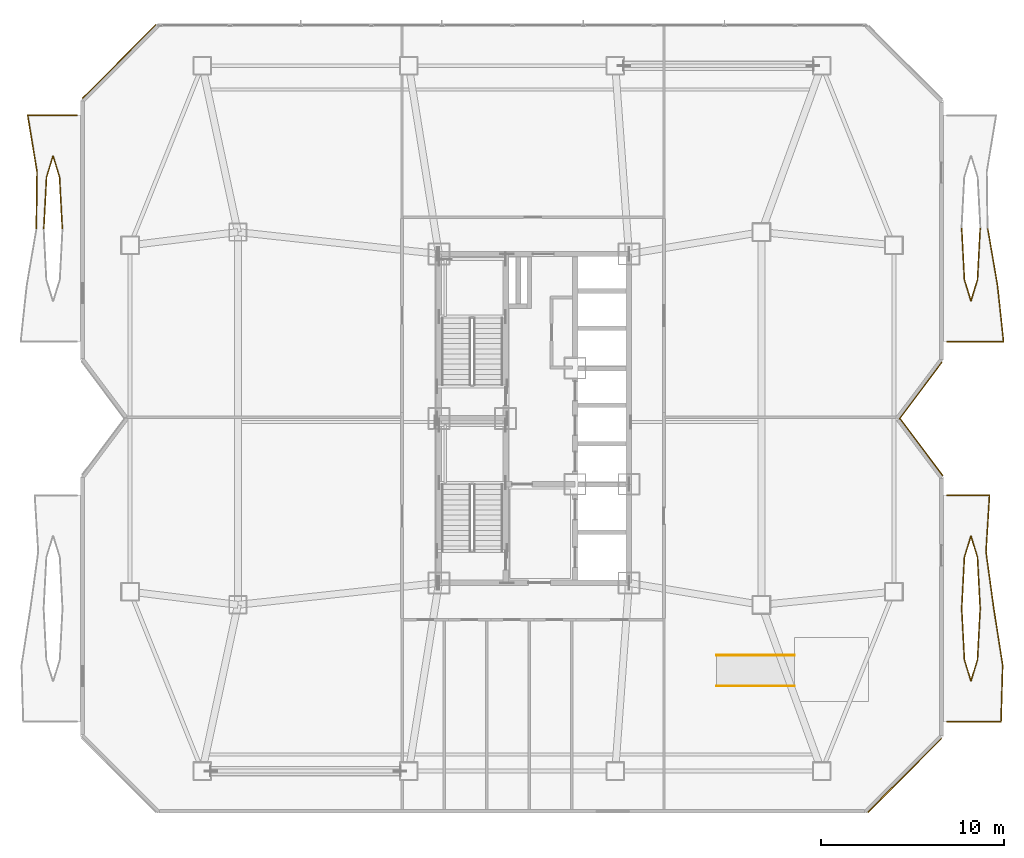
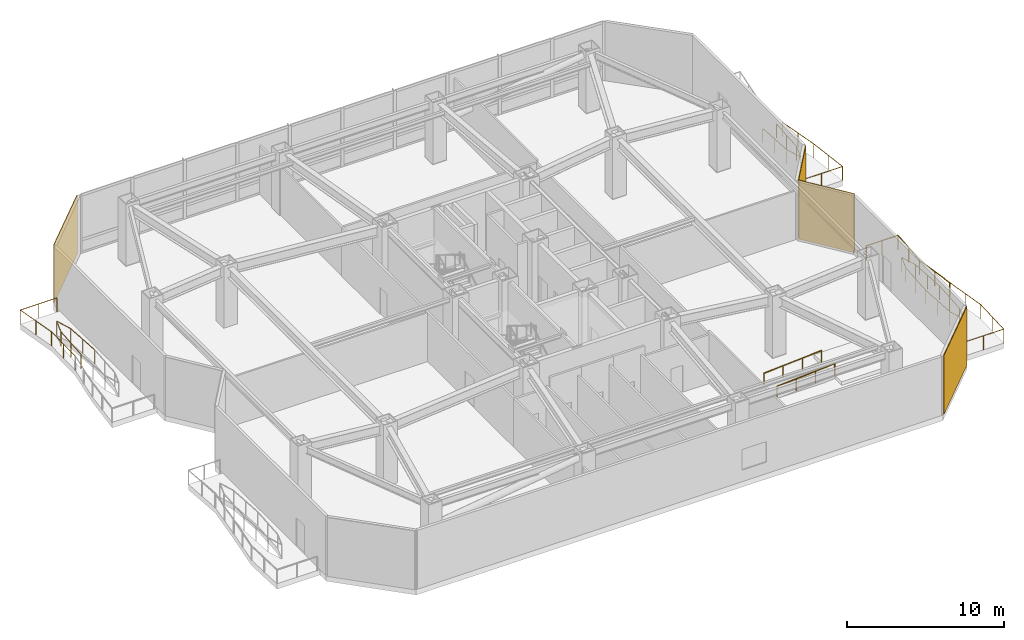
# One storey, part 13 of 14: 10 railings, 4 coverings.
"""IFC4 building model written with IfcOpenShell, lengths in metres."""

import ifcopenshell
import ifcopenshell.guid

model = None  # the IFC model being written
_history = None  # IfcOwnerHistory: only IFC2X3 demands one
_inside = {}  # id of a spatial element -> (the spatial element, [elements in it])
_under = {}  # id of a project, library or spatial element -> (it, [spatial elements below it])
_declared = {}  # id of a project -> (the project, [libraries it declares])
_typed = {}  # id of a type object -> (the type object, [elements of that type])
_made_of = {}  # id of a material, layer set ... -> (it, [elements and type objects made of it])


def new_model(schema):
    """Start an empty IFC model of exactly this schema.

    Asked for "IFC4X3", IfcOpenShell would pick the latest addendum, in which some entities
    have other attributes; the version numbers below select the first issue.
    IFC2X3 requires an IfcOwnerHistory on every rooted entity: one is made here for all.
    """
    global model, _history
    if schema == "IFC4X3":
        model = ifcopenshell.file(schema_version=(4, 3, 0, 0))
    else:
        model = ifcopenshell.file(schema=schema)
    _inside.clear()
    _under.clear()
    _declared.clear()
    _typed.clear()
    _made_of.clear()
    _history = None
    if model.schema == "IFC2X3":
        org = make("IfcOrganization", Name="unknown")
        user = make(
            "IfcPersonAndOrganization",
            ThePerson=make("IfcPerson", FamilyName="unknown"),
            TheOrganization=org,
        )
        app = make(
            "IfcApplication",
            ApplicationDeveloper=org,
            Version="unknown",
            ApplicationFullName="unknown",
            ApplicationIdentifier="unknown",
        )
        _history = make(
            "IfcOwnerHistory",
            OwningUser=user,
            OwningApplication=app,
            ChangeAction="ADDED",
            CreationDate=0,
        )
    return model


def make(cls, **values):
    """One entity of the class cls with the attributes given. An attribute that is None is left unset."""
    return model.create_entity(
        cls, **{name: value for name, value in values.items() if value is not None}
    )


def rooted(cls, **values):
    """An entity with a GlobalId (a new one), such as an element, a storey or a relation."""
    return make(cls, GlobalId=ifcopenshell.guid.new(), OwnerHistory=_history, **values)


def si_unit(unit_type, name, prefix=None):
    """IfcSIUnit, for example si_unit("LENGTHUNIT", "METRE", prefix="MILLI")."""
    return make("IfcSIUnit", UnitType=unit_type, Prefix=prefix, Name=name)


def assignment(units):
    """IfcUnitAssignment: the units of a project."""
    return None if units is None else make("IfcUnitAssignment", Units=units)


def point(xyz):
    """IfcCartesianPoint."""
    return None if xyz is None else make("IfcCartesianPoint", Coordinates=xyz)


def direction(xyz):
    """IfcDirection."""
    return None if xyz is None else make("IfcDirection", DirectionRatios=xyz)


def frame(location, z_axis=None, x_axis=None):
    """IfcAxis2Placement3D, a coordinate frame: its origin and axes. An axis left out is left unset."""
    return make(
        "IfcAxis2Placement3D",
        Location=point(location),
        Axis=direction(z_axis),
        RefDirection=direction(x_axis),
    )


def frame_2d(location, x_axis=None):
    """IfcAxis2Placement2D, a coordinate frame in the plane: its origin and x axis."""
    return make(
        "IfcAxis2Placement2D", Location=point(location), RefDirection=direction(x_axis)
    )


def origin():
    """The frame at (0, 0, 0) with its axes left unset."""
    return frame((0.0, 0.0, 0.0))


def origin_2d():
    """The frame at (0, 0) in the plane with its x axis left unset."""
    return frame_2d((0.0, 0.0))


def place(relative_to, where):
    """IfcLocalPlacement: puts the frame where relative to a parent placement (None: the world)."""
    return make(
        "IfcLocalPlacement", PlacementRelTo=relative_to, RelativePlacement=where
    )


def context(
    kind, dimensions, precision=None, world=None, true_north=None, identifier=None
):
    """IfcGeometricRepresentationContext, for example the 3D "Model" context."""
    return make(
        "IfcGeometricRepresentationContext",
        ContextIdentifier=identifier,
        ContextType=kind,
        CoordinateSpaceDimension=dimensions,
        Precision=precision,
        WorldCoordinateSystem=world,
        TrueNorth=true_north,
    )


def subcontext(parent, identifier, kind, view, scale=None):
    """IfcGeometricRepresentationSubContext, for example "Body" below "Model"."""
    return make(
        "IfcGeometricRepresentationSubContext",
        ContextIdentifier=identifier,
        ContextType=kind,
        ParentContext=parent,
        TargetScale=scale,
        TargetView=view,
    )


def project(units=None, contexts=None):
    """IfcProject with its units and contexts."""
    return rooted(
        "IfcProject",
        Name="project",
        RepresentationContexts=contexts,
        UnitsInContext=assignment(units),
    )


def spatial(cls, under=None, at=None, **own):
    """A site, building, storey or space (cls), placed at a placement, below another one or the project."""
    s = rooted(cls, ObjectPlacement=at, **own)
    if under is not None:
        _under.setdefault(under.id(), (under, []))[1].append(s)
    return s


def profile(cls, at=None, kind="AREA", **sizes):
    """A parametric profile (cls). Its sizes go by their IFC names, for example OverallWidth=200.0."""
    return make(cls, ProfileType=kind, Position=at, **sizes)


def rectangle(**sizes):
    """IfcRectangleProfileDef."""
    return profile("IfcRectangleProfileDef", **sizes)


def circle(**sizes):
    """IfcCircleProfileDef."""
    return profile("IfcCircleProfileDef", **sizes)


def extrude(swept, where, along, depth):
    """IfcExtrudedAreaSolid: the profile swept, set in the frame where, extruded along a direction by depth."""
    return make(
        "IfcExtrudedAreaSolid",
        SweptArea=swept,
        Position=where,
        ExtrudedDirection=direction(along),
        Depth=depth,
    )


def shape(context_of_items, identifier, shape_type, items):
    """IfcShapeRepresentation: the items that make up one representation, for example the "Body"."""
    return make(
        "IfcShapeRepresentation",
        ContextOfItems=context_of_items,
        RepresentationIdentifier=identifier,
        RepresentationType=shape_type,
        Items=items,
    )


def material(Name=None, Category=None):
    """IfcMaterial."""
    return make("IfcMaterial", Name=Name, Category=Category)


def layer(
    of_material, thickness, ventilated=None, Name=None, Category=None, Priority=None
):
    """IfcMaterialLayer: one layer of a wall or slab, of a material (None: an air gap)."""
    return make(
        "IfcMaterialLayer",
        Material=of_material,
        LayerThickness=thickness,
        IsVentilated=ventilated,
        Name=Name,
        Category=Category,
        Priority=Priority,
    )


def layer_set(layers, Name=None):
    """IfcMaterialLayerSet."""
    return make("IfcMaterialLayerSet", MaterialLayers=layers, LayerSetName=Name)


def made_of(thing, what):
    """Note that an element or type object is made of a material, layer set ...; save() writes the relation."""
    if what is not None:
        _made_of.setdefault(what.id(), (what, []))[1].append(thing)
    return thing


def type_object(cls, material=None, **own):
    """A type object (cls), such as IfcWallType, which elements share."""
    return made_of(rooted(cls, **own), material)


def element(
    cls,
    number,
    at=None,
    inside=None,
    cuts=None,
    type_object=None,
    material=None,
    context=None,
    identifier="Body",
    shape_type=None,
    held_by="IfcProductDefinitionShape",
    body=None,
    shapes=None,
    **own,
):
    """One element of the class cls, such as IfcWall. Its Tag is "e" and its number.

    at: its placement. inside: the storey or other place that contains it. cuts: it is an
    opening in that element (IfcRelVoidsElement). A single representation is given by context,
    identifier, shape_type and body (its items); several are given by shapes. held_by: the class
    of the entity that holds the representations. save() writes the other relations.
    """
    e = rooted(cls, Tag="e%d" % number, ObjectPlacement=at, **own)
    if body is not None:
        shapes = [shape(context, identifier, shape_type, body)]
    if shapes is not None:
        e.Representation = make(held_by, Representations=shapes)
    if inside is not None:
        _inside.setdefault(inside.id(), (inside, []))[1].append(e)
    if cuts is not None:
        rooted(
            "IfcRelVoidsElement", RelatingBuildingElement=cuts, RelatedOpeningElement=e
        )
    if type_object is not None:
        _typed.setdefault(type_object.id(), (type_object, []))[1].append(e)
    return made_of(e, material)


def aggregate(whole, parts):
    """IfcRelAggregates: a whole, such as a stair, and the parts it consists of."""
    return rooted("IfcRelAggregates", RelatingObject=whole, RelatedObjects=parts)


def save(model, path):
    """Write the relations noted so far, then the file.

    IfcRelAggregates (storeys below a building ...), IfcRelContainedInSpatialStructure (elements
    in a storey), IfcRelDefinesByType, IfcRelAssociatesMaterial and IfcRelDeclares: one each for
    every whole, place, type object, material and project.
    """
    for whole, parts in _under.values():
        aggregate(whole, parts)
    for where, things in _inside.values():
        rooted(
            "IfcRelContainedInSpatialStructure",
            RelatedElements=things,
            RelatingStructure=where,
        )
    for kind, things in _typed.values():
        rooted("IfcRelDefinesByType", RelatedObjects=things, RelatingType=kind)
    for what, things in _made_of.values():
        rooted("IfcRelAssociatesMaterial", RelatedObjects=things, RelatingMaterial=what)
    for by, libraries in _declared.values():
        rooted("IfcRelDeclares", RelatingContext=by, RelatedDefinitions=libraries)
    model.write(path)


model = new_model("IFC4")

# Units and contexts
model_context = context("Model", 3, precision=1e-05, world=origin(), true_north=direction((0.0, 1.0)))
body_context = subcontext(model_context, "Body", "Model", "MODEL_VIEW")
ifc_project = project(units=[si_unit("LENGTHUNIT", "METRE"), si_unit("AREAUNIT", "SQUARE_METRE"), si_unit("VOLUMEUNIT", "CUBIC_METRE"), si_unit("PLANEANGLEUNIT", "RADIAN"), si_unit("MASSUNIT", "GRAM", prefix="KILO")], contexts=[model_context])

# Site, building, storey
site_placement = place(None, origin())
site = spatial("IfcSite", under=ifc_project, at=site_placement, CompositionType="ELEMENT")
building_placement = place(site_placement, origin())
building = spatial("IfcBuilding", under=site, at=building_placement, Name="Khamvora Tower", CompositionType="ELEMENT")
storey_placement = place(building_placement, frame((0.0, 0.0, 89.800048828125)))
storey = spatial("IfcBuildingStorey", under=building, at=storey_placement, Name="L22", CompositionType="ELEMENT", Elevation=89.800048828125)

# Coverings
ifc_material_1 = material(Name="Pale Anodised Aluminium Rainscreen Panel", Category="aluminium")
ifc_layer_1 = layer(ifc_material_1, 0.044921875)
ifc_layer_set_1 = layer_set([ifc_layer_1], Name="Pale Anodised Aluminium Rainscreen Panel")
covering_type_1 = type_object("IfcCoveringType", Name="COV-CLD-ALU", PredefinedType="CLADDING", material=ifc_layer_set_1)
covering_1_placement = place(storey_placement, frame((11.509033203125, 47.534912109375, 0.0), z_axis=(0.0, 0.0, 1.0), x_axis=(0.707106781187, 0.707106781187, 0.0)))
element("IfcCovering", 1, at=covering_1_placement, inside=storey, type_object=covering_type_1, Name="L22 chamfer rainscreen cladding 06.1", PredefinedType="CLADDING", context=body_context, shape_type="SweptSolid", body=[
    extrude(rectangle(XDim=5.694091796875, YDim=0.044921875, at=origin_2d()), origin(), (0.0, 0.0, 1.0), 4.580078125),
])
covering_2_placement = place(storey_placement, frame((55.365966796875, 29.52490234375, 0.0), z_axis=(0.0, 0.0, 1.0), x_axis=(-0.600120318085, -0.799909747298, 0.0)))
element("IfcCovering", 2, at=covering_2_placement, inside=storey, type_object=covering_type_1, Name="L22 chamfer rainscreen cladding 10.1", PredefinedType="CLADDING", context=body_context, shape_type="SweptSolid", body=[
    extrude(rectangle(XDim=3.888916015625, YDim=0.044921875, at=origin_2d()), origin(), (0.0, 0.0, 1.0), 4.580078125),
])
ifc_material_2 = material(Name="Anodised Bronze Aluminium Spandrel Panel", Category="aluminium")
ifc_layer_2 = layer(ifc_material_2, 0.054931640625)
ifc_layer_set_2 = layer_set([ifc_layer_2], Name="Anodised Bronze Aluminium Spandrel Panel")
covering_type_2 = type_object("IfcCoveringType", Name="COV-CLD-BRZ", PredefinedType="CLADDING", material=ifc_layer_set_2)
covering_3_placement = place(storey_placement, frame((55.407958984375, 26.419921875, 0.0), z_axis=(0.0, 0.0, 1.0), x_axis=(0.600000000002, -0.799999999998, 0.0)))
element("IfcCovering", 3, at=covering_3_placement, inside=storey, type_object=covering_type_2, Name="L22 chamfer rainscreen cladding 11.1", PredefinedType="CLADDING", context=body_context, shape_type="SweptSolid", body=[
    extrude(rectangle(XDim=3.85498046875, YDim=0.054931640625, at=origin_2d()), origin(), (0.0, 0.0, 1.0), 4.580078125),
])
covering_4_placement = place(storey_placement, frame((54.490966796875, 8.466064453125, 0.0), z_axis=(0.0, 0.0, 1.0), x_axis=(-0.707106781187, -0.707106781187, 0.0)))
element("IfcCovering", 4, at=covering_4_placement, inside=storey, type_object=covering_type_2, Name="L22 chamfer rainscreen cladding 13.1", PredefinedType="CLADDING", context=body_context, shape_type="SweptSolid", body=[
    extrude(rectangle(XDim=5.695068359375, YDim=0.054931640625, at=origin_2d()), origin(), (0.0, 0.0, 1.0), 4.580078125),
])

# Railings
ifc_material_3 = material(Name="Stainless Steel 316 and Laminated Glass", Category="steel")
railing_type_1 = type_object("IfcRailingType", Name="RAL-GAL-1120", PredefinedType="GUARDRAIL", material=ifc_material_3)
railing_1_placement = place(storey_placement, frame((56.800048828125, 11.39990234375, 0.0)))
element("IfcRailing", 5, at=railing_1_placement, inside=storey, type_object=railing_type_1, Name="L22 lens gallery south perimeter guardrail EL1", PredefinedType="GUARDRAIL", context=body_context, shape_type="SweptSolid", body=[
    extrude(circle(Radius=0.02392578125, at=origin_2d()), frame((0.0, 0.0, 1.09619140625), z_axis=(1.0, 0.0, 0.0), x_axis=(0.0, 1.0, 0.0)), (0.0, 0.0, 1.0), 2.9619140625),
    extrude(circle(Radius=0.02392578125, at=origin_2d()), frame((2.9619140625, 0.0, 1.09619140625), z_axis=(0.029047432246, 0.999578034312, 0.0), x_axis=(-0.999578034312, 0.029047432246, 0.0)), (0.0, 0.0, 1.0), 3.101318359375),
    extrude(circle(Radius=0.02392578125, at=origin_2d()), frame((3.052001953125, 3.10009765625, 1.09619140625), z_axis=(-0.154599983709, 0.987977148034, 0.0), x_axis=(-0.987977148034, -0.154599983709, 0.0)), (0.0, 0.0, 1.0), 3.137939453125),
    extrude(circle(Radius=0.02099609375, at=origin_2d()), origin(), (0.0, 0.0, 1.0), 1.072021484375),
    extrude(circle(Radius=0.02099609375, at=origin_2d()), frame((1.48095703125, 0.0, 0.0)), (0.0, 0.0, 1.0), 1.072021484375),
    extrude(circle(Radius=0.02099609375, at=origin_2d()), frame((2.9619140625, 0.0, 0.0)), (0.0, 0.0, 1.0), 1.072021484375),
    extrude(circle(Radius=0.02099609375, at=origin_2d()), frame((3.0068359375, 1.550048828125, 0.0)), (0.0, 0.0, 1.0), 1.072021484375),
    extrude(circle(Radius=0.02099609375, at=origin_2d()), frame((3.052001953125, 3.10009765625, 0.0)), (0.0, 0.0, 1.0), 1.072021484375),
    extrude(circle(Radius=0.02099609375, at=origin_2d()), frame((2.8095703125, 4.650146484375, 0.0)), (0.0, 0.0, 1.0), 1.072021484375),
    extrude(circle(Radius=0.02099609375, at=origin_2d()), frame((2.56689453125, 6.2001953125, 0.0)), (0.0, 0.0, 1.0), 1.072021484375),
])
railing_2_placement = place(storey_placement, frame((59.366943359375, 17.60009765625, 0.0)))
element("IfcRailing", 6, at=railing_2_placement, inside=storey, type_object=railing_type_1, Name="L22 lens gallery north perimeter guardrail EL1", PredefinedType="GUARDRAIL", context=body_context, shape_type="SweptSolid", body=[
    extrude(circle(Radius=0.02392578125, at=origin_2d()), frame((0.0, 0.0, 1.09619140625), z_axis=(-0.136154206504, 0.990687656152, 0.0), x_axis=(-0.990687656152, -0.136154206504, 0.0)), (0.0, 0.0, 1.0), 3.12890625),
    extrude(circle(Radius=0.02392578125, at=origin_2d()), frame((-0.426025390625, 3.099853515625, 1.09619140625), z_axis=(0.061546354471, 0.998104226146, 0.0), x_axis=(-0.998104226146, 0.061546354471, 0.0)), (0.0, 0.0, 1.0), 3.10595703125),
    extrude(circle(Radius=0.02392578125, at=origin_2d()), frame((-0.23486328125, 6.199951171875, 1.09619140625), z_axis=(-1.0, 0.0, 0.0), x_axis=(0.0, -1.0, 0.0)), (0.0, 0.0, 1.0), 2.33203125),
    extrude(circle(Radius=0.02099609375, at=origin_2d()), origin(), (0.0, 0.0, 1.0), 1.072021484375),
    extrude(circle(Radius=0.02099609375, at=origin_2d()), frame((-0.212890625, 1.5498046875, 0.0)), (0.0, 0.0, 1.0), 1.072021484375),
    extrude(circle(Radius=0.02099609375, at=origin_2d()), frame((-0.426025390625, 3.099853515625, 0.0)), (0.0, 0.0, 1.0), 1.072021484375),
    extrude(circle(Radius=0.02099609375, at=origin_2d()), frame((-0.33056640625, 4.64990234375, 0.0)), (0.0, 0.0, 1.0), 1.072021484375),
    extrude(circle(Radius=0.02099609375, at=origin_2d()), frame((-0.23486328125, 6.199951171875, 0.0)), (0.0, 0.0, 1.0), 1.072021484375),
    extrude(circle(Radius=0.02099609375, at=origin_2d()), frame((-1.40087890625, 6.199951171875, 0.0)), (0.0, 0.0, 1.0), 1.072021484375),
    extrude(circle(Radius=0.02099609375, at=origin_2d()), frame((-2.56689453125, 6.199951171875, 0.0)), (0.0, 0.0, 1.0), 1.072021484375),
])
railing_3_placement = place(storey_placement, frame((58.618896484375, 17.60009765625, 0.0)))
element("IfcRailing", 7, at=railing_3_placement, inside=storey, type_object=railing_type_1, Name="L22 lens gallery void guardrail EL1A", PredefinedType="GUARDRAIL", context=body_context, shape_type="SweptSolid", body=[
    extrude(circle(Radius=0.02392578125, at=origin_2d()), frame((0.0, 0.0, 1.09619140625), z_axis=(-0.052654602562, 0.998612784231, 0.0), x_axis=(-0.998612784231, -0.052654602562, 0.0)), (0.0, 0.0, 1.0), 2.809814453125),
    extrude(circle(Radius=0.02392578125, at=origin_2d()), frame((-0.14794921875, 2.805908203125, 1.09619140625), z_axis=(-0.292871691974, 0.956151751575, 0.0), x_axis=(-0.956151751575, -0.292871691974, 0.0)), (0.0, 0.0, 1.0), 1.21533203125),
    extrude(circle(Radius=0.02392578125, at=origin_2d()), frame((-0.50390625, 3.968017578125, 1.09619140625), z_axis=(-0.292871691974, -0.956151751575, 0.0), x_axis=(0.956151751575, -0.292871691974, 0.0)), (0.0, 0.0, 1.0), 1.21533203125),
    extrude(circle(Radius=0.02392578125, at=origin_2d()), frame((-0.85986328125, 2.805908203125, 1.09619140625), z_axis=(-0.052654602562, -0.998612784231, 0.0), x_axis=(0.998612784231, -0.052654602562, 0.0)), (0.0, 0.0, 1.0), 2.809814453125),
    extrude(circle(Radius=0.02099609375, at=origin_2d()), origin(), (0.0, 0.0, 1.0), 1.072021484375),
    extrude(circle(Radius=0.02099609375, at=origin_2d()), frame((-0.073974609375, 1.40283203125, 0.0)), (0.0, 0.0, 1.0), 1.072021484375),
    extrude(circle(Radius=0.02099609375, at=origin_2d()), frame((-0.14794921875, 2.805908203125, 0.0)), (0.0, 0.0, 1.0), 1.072021484375),
    extrude(circle(Radius=0.02099609375, at=origin_2d()), frame((-0.50390625, 3.968017578125, 0.0)), (0.0, 0.0, 1.0), 1.072021484375),
    extrude(circle(Radius=0.02099609375, at=origin_2d()), frame((-0.85986328125, 2.805908203125, 0.0)), (0.0, 0.0, 1.0), 1.072021484375),
    extrude(circle(Radius=0.02099609375, at=origin_2d()), frame((-0.933837890625, 1.40283203125, 0.0)), (0.0, 0.0, 1.0), 1.072021484375),
    extrude(circle(Radius=0.02099609375, at=origin_2d()), frame((-1.0078125, 0.0, 0.0)), (0.0, 0.0, 1.0), 1.072021484375),
])
railing_4_placement = place(storey_placement, frame((57.611083984375, 17.60009765625, 0.0)))
element("IfcRailing", 8, at=railing_4_placement, inside=storey, type_object=railing_type_1, Name="L22 lens gallery void guardrail EL1B", PredefinedType="GUARDRAIL", context=body_context, shape_type="SweptSolid", body=[
    extrude(circle(Radius=0.02392578125, at=origin_2d()), frame((0.0, 0.0, 1.09619140625), z_axis=(0.05265003421, -0.998613025099, 0.0), x_axis=(0.998613025099, 0.05265003421, 0.0)), (0.0, 0.0, 1.0), 2.81005859375),
    extrude(circle(Radius=0.02392578125, at=origin_2d()), frame((0.14794921875, -2.80615234375, 1.09619140625), z_axis=(0.292927952476, -0.956134517031, 0.0), x_axis=(0.956134517031, 0.292927952476, 0.0)), (0.0, 0.0, 1.0), 1.215087890625),
    extrude(circle(Radius=0.02392578125, at=origin_2d()), frame((0.50390625, -3.968017578125, 1.09619140625), z_axis=(0.292927952476, 0.956134517031, 0.0), x_axis=(-0.956134517031, 0.292927952476, 0.0)), (0.0, 0.0, 1.0), 1.215087890625),
    extrude(circle(Radius=0.02392578125, at=origin_2d()), frame((0.85986328125, -2.80615234375, 1.09619140625), z_axis=(0.05265003421, 0.998613025099, 0.0), x_axis=(-0.998613025099, 0.05265003421, 0.0)), (0.0, 0.0, 1.0), 2.81005859375),
    extrude(circle(Radius=0.02099609375, at=origin_2d()), origin(), (0.0, 0.0, 1.0), 1.072021484375),
    extrude(circle(Radius=0.02099609375, at=origin_2d()), frame((0.073974609375, -1.403076171875, 0.0)), (0.0, 0.0, 1.0), 1.072021484375),
    extrude(circle(Radius=0.02099609375, at=origin_2d()), frame((0.14794921875, -2.80615234375, 0.0)), (0.0, 0.0, 1.0), 1.072021484375),
    extrude(circle(Radius=0.02099609375, at=origin_2d()), frame((0.50390625, -3.968017578125, 0.0)), (0.0, 0.0, 1.0), 1.072021484375),
    extrude(circle(Radius=0.02099609375, at=origin_2d()), frame((0.85986328125, -2.80615234375, 0.0)), (0.0, 0.0, 1.0), 1.072021484375),
    extrude(circle(Radius=0.02099609375, at=origin_2d()), frame((0.933837890625, -1.403076171875, 0.0)), (0.0, 0.0, 1.0), 1.072021484375),
    extrude(circle(Radius=0.02099609375, at=origin_2d()), frame((1.0078125, 0.0, 0.0)), (0.0, 0.0, 1.0), 1.072021484375),
])
railing_5_placement = place(storey_placement, frame((56.800048828125, 32.199951171875, 0.0)))
element("IfcRailing", 9, at=railing_5_placement, inside=storey, type_object=railing_type_1, Name="L22 lens gallery south perimeter guardrail EL2", PredefinedType="GUARDRAIL", context=body_context, shape_type="SweptSolid", body=[
    extrude(circle(Radius=0.02392578125, at=origin_2d()), frame((0.0, 0.0, 1.09619140625), z_axis=(1.0, 0.0, 0.0), x_axis=(0.0, 1.0, 0.0)), (0.0, 0.0, 1.0), 3.099853515625),
    extrude(circle(Radius=0.02392578125, at=origin_2d()), frame((3.099853515625, 0.0, 1.09619140625), z_axis=(-0.10641699792, 0.994321589102, 0.0), x_axis=(-0.994321589102, -0.10641699792, 0.0)), (0.0, 0.0, 1.0), 3.117919921875),
    extrude(circle(Radius=0.02392578125, at=origin_2d()), frame((2.76806640625, 3.10009765625, 1.09619140625), z_axis=(-0.170122627131, 0.985422899946, 0.0), x_axis=(-0.985422899946, -0.170122627131, 0.0)), (0.0, 0.0, 1.0), 3.145751953125),
    extrude(circle(Radius=0.02099609375, at=origin_2d()), origin(), (0.0, 0.0, 1.0), 1.072021484375),
    extrude(circle(Radius=0.02099609375, at=origin_2d()), frame((1.5498046875, 0.0, 0.0)), (0.0, 0.0, 1.0), 1.072021484375),
    extrude(circle(Radius=0.02099609375, at=origin_2d()), frame((3.099853515625, 0.0, 0.0)), (0.0, 0.0, 1.0), 1.072021484375),
    extrude(circle(Radius=0.02099609375, at=origin_2d()), frame((2.93408203125, 1.550048828125, 0.0)), (0.0, 0.0, 1.0), 1.072021484375),
    extrude(circle(Radius=0.02099609375, at=origin_2d()), frame((2.76806640625, 3.10009765625, 0.0)), (0.0, 0.0, 1.0), 1.072021484375),
    extrude(circle(Radius=0.02099609375, at=origin_2d()), frame((2.50048828125, 4.64990234375, 0.0)), (0.0, 0.0, 1.0), 1.072021484375),
    extrude(circle(Radius=0.02099609375, at=origin_2d()), frame((2.23291015625, 6.199951171875, 0.0)), (0.0, 0.0, 1.0), 1.072021484375),
])
railing_6_placement = place(storey_placement, frame((57.611083984375, 38.39990234375, 0.0)))
element("IfcRailing", 10, at=railing_6_placement, inside=storey, type_object=railing_type_1, Name="L22 lens gallery void guardrail EL2B", PredefinedType="GUARDRAIL", context=body_context, shape_type="SweptSolid", body=[
    extrude(circle(Radius=0.02392578125, at=origin_2d()), frame((0.0, 0.0, 1.09619140625), z_axis=(0.052654602562, -0.998612784231, 0.0), x_axis=(0.998612784231, 0.052654602562, 0.0)), (0.0, 0.0, 1.0), 2.809814453125),
    extrude(circle(Radius=0.02392578125, at=origin_2d()), frame((0.14794921875, -2.805908203125, 1.09619140625), z_axis=(0.292871691974, -0.956151751575, 0.0), x_axis=(0.956151751575, 0.292871691974, 0.0)), (0.0, 0.0, 1.0), 1.21533203125),
    extrude(circle(Radius=0.02392578125, at=origin_2d()), frame((0.50390625, -3.968017578125, 1.09619140625), z_axis=(0.292871691974, 0.956151751575, 0.0), x_axis=(-0.956151751575, 0.292871691974, 0.0)), (0.0, 0.0, 1.0), 1.21533203125),
    extrude(circle(Radius=0.02392578125, at=origin_2d()), frame((0.85986328125, -2.805908203125, 1.09619140625), z_axis=(0.052654602562, 0.998612784231, 0.0), x_axis=(-0.998612784231, 0.052654602562, 0.0)), (0.0, 0.0, 1.0), 2.809814453125),
    extrude(circle(Radius=0.02099609375, at=origin_2d()), origin(), (0.0, 0.0, 1.0), 1.072021484375),
    extrude(circle(Radius=0.02099609375, at=origin_2d()), frame((0.073974609375, -1.40283203125, 0.0)), (0.0, 0.0, 1.0), 1.072021484375),
    extrude(circle(Radius=0.02099609375, at=origin_2d()), frame((0.14794921875, -2.805908203125, 0.0)), (0.0, 0.0, 1.0), 1.072021484375),
    extrude(circle(Radius=0.02099609375, at=origin_2d()), frame((0.50390625, -3.968017578125, 0.0)), (0.0, 0.0, 1.0), 1.072021484375),
    extrude(circle(Radius=0.02099609375, at=origin_2d()), frame((0.85986328125, -2.805908203125, 0.0)), (0.0, 0.0, 1.0), 1.072021484375),
    extrude(circle(Radius=0.02099609375, at=origin_2d()), frame((0.933837890625, -1.40283203125, 0.0)), (0.0, 0.0, 1.0), 1.072021484375),
    extrude(circle(Radius=0.02099609375, at=origin_2d()), frame((1.0078125, 0.0, 0.0)), (0.0, 0.0, 1.0), 1.072021484375),
])
railing_7_placement = place(storey_placement, frame((6.967041015625, 38.39990234375, 0.0)))
element("IfcRailing", 11, at=railing_7_placement, inside=storey, type_object=railing_type_1, Name="L22 lens gallery north perimeter guardrail WL2", PredefinedType="GUARDRAIL", context=body_context, shape_type="SweptSolid", body=[
    extrude(circle(Radius=0.02392578125, at=origin_2d()), frame((0.0, 0.0, 1.09619140625), z_axis=(0.012599409347, 0.999920624292, 0.0), x_axis=(-0.999920624292, 0.012599409347, 0.0)), (0.0, 0.0, 1.0), 3.100341796875),
    extrude(circle(Radius=0.02392578125, at=origin_2d()), frame((0.0390625, 3.10009765625, 1.09619140625), z_axis=(-0.16202934976, 0.986785939207, 0.0), x_axis=(-0.986785939207, -0.16202934976, 0.0)), (0.0, 0.0, 1.0), 3.1416015625),
    extrude(circle(Radius=0.02392578125, at=origin_2d()), frame((-0.469970703125, 6.2001953125, 1.09619140625), z_axis=(1.0, 0.0, 0.0), x_axis=(0.0, 1.0, 0.0)), (0.0, 0.0, 1.0), 2.702880859375),
    extrude(circle(Radius=0.02099609375, at=origin_2d()), origin(), (0.0, 0.0, 1.0), 1.072021484375),
    extrude(circle(Radius=0.02099609375, at=origin_2d()), frame((0.01953125, 1.550048828125, 0.0)), (0.0, 0.0, 1.0), 1.072021484375),
    extrude(circle(Radius=0.02099609375, at=origin_2d()), frame((0.0390625, 3.10009765625, 0.0)), (0.0, 0.0, 1.0), 1.072021484375),
    extrude(circle(Radius=0.02099609375, at=origin_2d()), frame((-0.21533203125, 4.650146484375, 0.0)), (0.0, 0.0, 1.0), 1.072021484375),
    extrude(circle(Radius=0.02099609375, at=origin_2d()), frame((-0.469970703125, 6.2001953125, 0.0)), (0.0, 0.0, 1.0), 1.072021484375),
    extrude(circle(Radius=0.02099609375, at=origin_2d()), frame((0.88134765625, 6.2001953125, 0.0)), (0.0, 0.0, 1.0), 1.072021484375),
    extrude(circle(Radius=0.02099609375, at=origin_2d()), frame((2.23291015625, 6.2001953125, 0.0)), (0.0, 0.0, 1.0), 1.072021484375),
])
railing_8_placement = place(storey_placement, frame((8.388916015625, 38.39990234375, 0.0)))
element("IfcRailing", 12, at=railing_8_placement, inside=storey, type_object=railing_type_1, Name="L22 lens gallery void guardrail WL2A", PredefinedType="GUARDRAIL", context=body_context, shape_type="SweptSolid", body=[
    extrude(circle(Radius=0.02392578125, at=origin_2d()), frame((0.0, 0.0, 1.09619140625), z_axis=(-0.05265003421, 0.998613025099, 0.0), x_axis=(-0.998613025099, -0.05265003421, 0.0)), (0.0, 0.0, 1.0), 2.81005859375),
    extrude(circle(Radius=0.02392578125, at=origin_2d()), frame((-0.14794921875, 2.80615234375, 1.09619140625), z_axis=(-0.292927952476, 0.956134517031, 0.0), x_axis=(-0.956134517031, -0.292927952476, 0.0)), (0.0, 0.0, 1.0), 1.215087890625),
    extrude(circle(Radius=0.02392578125, at=origin_2d()), frame((-0.50390625, 3.968017578125, 1.09619140625), z_axis=(-0.292927952476, -0.956134517031, 0.0), x_axis=(0.956134517031, -0.292927952476, 0.0)), (0.0, 0.0, 1.0), 1.215087890625),
    extrude(circle(Radius=0.02392578125, at=origin_2d()), frame((-0.85986328125, 2.80615234375, 1.09619140625), z_axis=(-0.05265003421, -0.998613025099, 0.0), x_axis=(0.998613025099, -0.05265003421, 0.0)), (0.0, 0.0, 1.0), 2.81005859375),
    extrude(circle(Radius=0.02099609375, at=origin_2d()), origin(), (0.0, 0.0, 1.0), 1.072021484375),
    extrude(circle(Radius=0.02099609375, at=origin_2d()), frame((-0.073974609375, 1.403076171875, 0.0)), (0.0, 0.0, 1.0), 1.072021484375),
    extrude(circle(Radius=0.02099609375, at=origin_2d()), frame((-0.14794921875, 2.80615234375, 0.0)), (0.0, 0.0, 1.0), 1.072021484375),
    extrude(circle(Radius=0.02099609375, at=origin_2d()), frame((-0.50390625, 3.968017578125, 0.0)), (0.0, 0.0, 1.0), 1.072021484375),
    extrude(circle(Radius=0.02099609375, at=origin_2d()), frame((-0.85986328125, 2.80615234375, 0.0)), (0.0, 0.0, 1.0), 1.072021484375),
    extrude(circle(Radius=0.02099609375, at=origin_2d()), frame((-0.933837890625, 1.403076171875, 0.0)), (0.0, 0.0, 1.0), 1.072021484375),
    extrude(circle(Radius=0.02099609375, at=origin_2d()), frame((-1.0078125, 0.0, 0.0)), (0.0, 0.0, 1.0), 1.072021484375),
])
ifc_material_4 = material(Name="Brushed Stainless Steel 316", Category="steel")
railing_type_2 = type_object("IfcRailingType", Name="RAL-HDR-920", PredefinedType="HANDRAIL", material=ifc_material_4)
for number, where, name in (
    (13, (44.199951171875, 13.360107421875, 0.0), "L22 Sky-Garden Accessible Planter Deck Ramp RMP-04 handrail 1"),
    (14, (44.199951171875, 15.0400390625, 0.0), "L22 Sky-Garden Accessible Planter Deck Ramp RMP-04 handrail 2"),
):
    element("IfcRailing", number, at=place(storey_placement, frame(where)), inside=storey, type_object=railing_type_2, Name=name, PredefinedType="HANDRAIL", context=body_context, shape_type="SweptSolid", body=[
        extrude(circle(Radius=0.02392578125, at=origin_2d()), frame((0.0, 0.0, 0.89599609375), z_axis=(0.99783634602, 0.0, 0.065746684793), x_axis=(0.0, 1.0, 0.0)), (0.0, 0.0, 1.0), 4.25927734375),
        extrude(circle(Radius=0.02099609375, at=origin_2d()), origin(), (0.0, 0.0, 1.0), 0.871826171875),
        extrude(circle(Radius=0.02099609375, at=origin_2d()), frame((1.416748046875, 0.0, 0.09326171875)), (0.0, 0.0, 1.0), 0.871826171875),
        extrude(circle(Radius=0.02099609375, at=origin_2d()), frame((2.833251953125, 0.0, 0.186767578125)), (0.0, 0.0, 1.0), 0.871826171875),
        extrude(circle(Radius=0.02099609375, at=origin_2d()), frame((4.25, 0.0, 0.280029296875)), (0.0, 0.0, 1.0), 0.871826171875),
    ])

save(model, "model.ifc")
